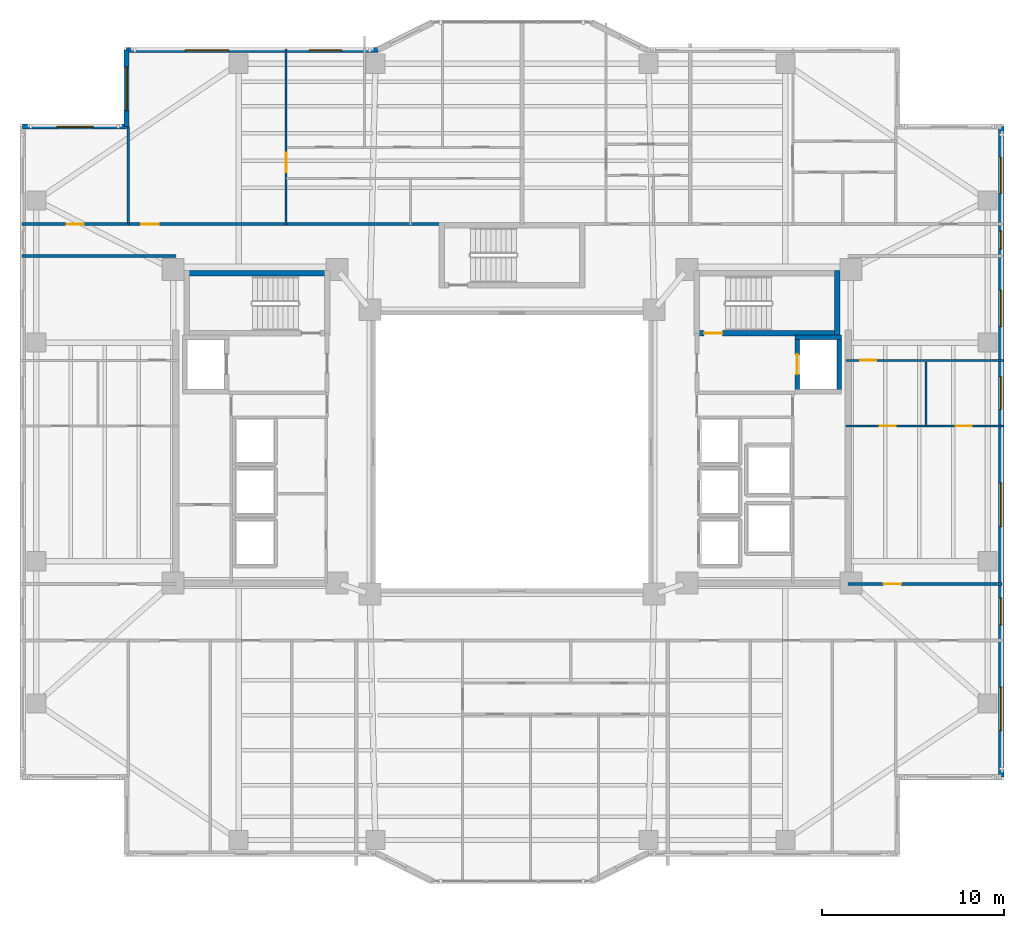
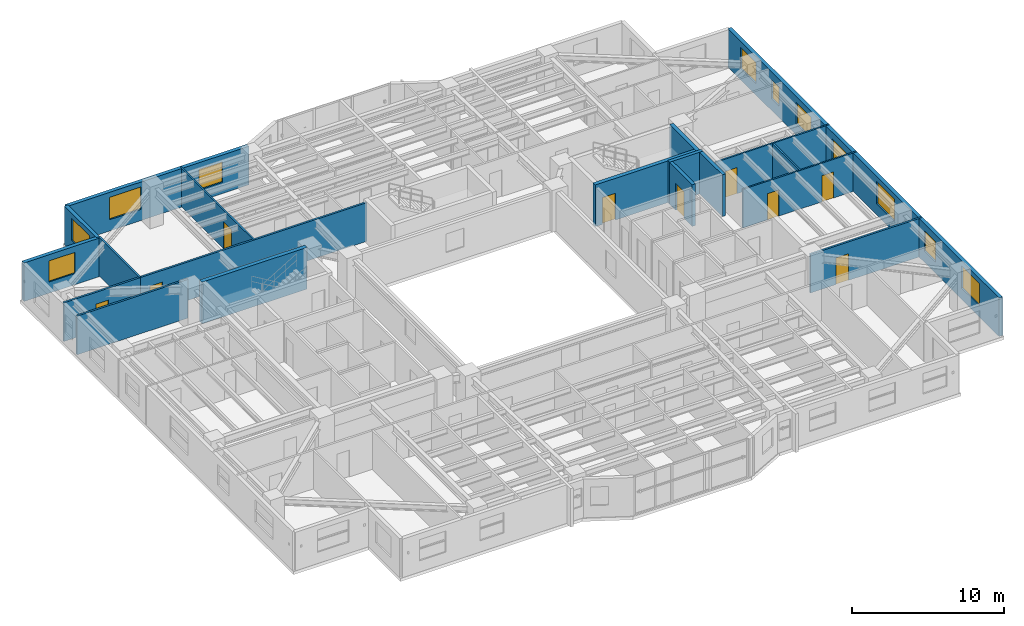
# One storey, part 9 of 18: 19 walls, 11 windows, 9 doors, 20 openings.
"""IFC4 building model written with IfcOpenShell, lengths in metres."""

from ifc_helpers import new_model, si_unit, direction, frame, frame_2d, origin, place, context, subcontext, project, spatial, rectangle, extrude, material, layer, layer_set, type_object, element, fill, save


model = new_model("IFC4")

# Units and contexts
model_context = context("Model", 3, precision=1e-05, world=origin(), true_north=direction((0.0, 1.0)))
body_context = subcontext(model_context, "Body", "Model", "MODEL_VIEW")
ifc_project = project(units=[si_unit("LENGTHUNIT", "METRE"), si_unit("AREAUNIT", "SQUARE_METRE"), si_unit("VOLUMEUNIT", "CUBIC_METRE"), si_unit("PLANEANGLEUNIT", "RADIAN"), si_unit("MASSUNIT", "GRAM", prefix="KILO")], contexts=[model_context])

# Site, building, storey
site_placement = place(None, origin())
site = spatial("IfcSite", under=ifc_project, at=site_placement, CompositionType="ELEMENT")
building_placement = place(site_placement, origin())
building = spatial("IfcBuilding", under=site, at=building_placement, Name="Tarnavaz Court Tower", CompositionType="ELEMENT")
storey_placement = place(building_placement, frame((0.0, 0.0, 91.699951171875)))
storey = spatial("IfcBuildingStorey", under=building, at=storey_placement, Name="L24", CompositionType="ELEMENT", Elevation=91.699951171875)

# Wall, opening, door
ifc_material_1 = material(Name="Concrete C60/75", Category="concrete")
ifc_layer_1 = layer(ifc_material_1, 0.25)
ifc_layer_set_1 = layer_set([ifc_layer_1], Name="Concrete C60/75")
wall_type_1 = type_object("IfcWallType", Name="WL-CORE-250-C60", PredefinedType="SHEAR", material=ifc_layer_set_1)
wall_1_placement = place(storey_placement, frame((15.64990234375, 3.175048828125, 0.0), z_axis=(0.0, 0.0, 1.0), x_axis=(0.0, 1.0, 0.0)))
wall_1 = element("IfcWall", 1, at=wall_1_placement, inside=storey, type_object=wall_type_1, Name="L24 Lift FL-E1 Shaft Wall 033", PredefinedType="SHEAR", context=body_context, shape_type="SweptSolid", body=[
    extrude(rectangle(XDim=3.25, YDim=0.25, at=frame_2d((1.625, 0.0))), origin(), (0.0, 0.0, 1.0), 3.35009765625),
])
opening_1_placement = place(wall_1_placement, frame((1.074951171875, 0.0, 0.0)))
opening_1 = element("IfcOpeningElement", 2, at=opening_1_placement, cuts=wall_1, Name="Opening LD1", PredefinedType="OPENING", context=body_context, shape_type="SweptSolid", body=[
    extrude(rectangle(XDim=1.10009765625, YDim=2.14990234375, at=frame_2d((0.550048828125, 1.074951171875))), frame((0.0, 0.135009765625, 0.0), z_axis=(0.0, -1.0, 0.0), x_axis=(1.0, 0.0, 0.0)), (0.0, 0.0, 1.0), 0.27001953125),
])
ifc_material_2 = material(Name="Stainless Steel", Category="steel")
door_type_1 = type_object("IfcDoorType", Name="DR-LD-1100", OperationType="NOTDEFINED", PredefinedType="DOOR", material=ifc_material_2)
door_1_placement = place(opening_1_placement, origin())
door_1 = element("IfcDoor", 3, at=door_1_placement, inside=storey, type_object=door_type_1, Name="L24 Lift Landing Door LD-FL-E1", OperationType="SLIDING_TO_LEFT", OverallHeight=2.14990234375, OverallWidth=1.10009765625, PredefinedType="DOOR", context=body_context, shape_type="SweptSolid", body=[
    extrude(rectangle(XDim=1.10009765625, YDim=2.14990234375, at=frame_2d((0.550048828125, 1.074951171875))), frame((0.0, 0.02490234375, 0.0), z_axis=(0.0, -1.0, 0.0), x_axis=(1.0, 0.0, 0.0)), (0.0, 0.0, 1.0), 0.050048828125),
])
fill(opening_1, door_1)

# Walls
wall_2_placement = place(storey_placement, frame((17.949951171875, 3.175048828125, 0.0), z_axis=(0.0, 0.0, 1.0), x_axis=(0.0, 1.0, 0.0)))
element("IfcWall", 4, at=wall_2_placement, inside=storey, type_object=wall_type_1, Name="L24 Lift FL-E1 Shaft Wall 034", PredefinedType="SHEAR", context=body_context, shape_type="SweptSolid", body=[
    extrude(rectangle(XDim=3.25, YDim=0.25, at=frame_2d((1.625, 0.0))), origin(), (0.0, 0.0, 1.0), 3.35009765625),
])
wall_3_placement = place(storey_placement, frame((15.52490234375, 6.300048828125, 0.0), z_axis=(0.0, 0.0, 1.0), x_axis=(1.0, 0.0, 0.0)))
element("IfcWall", 5, at=wall_3_placement, inside=storey, type_object=wall_type_1, Name="L24 Lift FL-E1 Shaft Wall 036", PredefinedType="SHEAR", context=body_context, shape_type="SweptSolid", body=[
    extrude(rectangle(XDim=2.550048828125, YDim=0.25, at=frame_2d((1.27490234375, 0.0))), origin(), (0.0, 0.0, 1.0), 3.35009765625),
])
ifc_layer_2 = layer(ifc_material_1, 0.300048828125)
ifc_layer_set_2 = layer_set([ifc_layer_2], Name="Concrete C60/75")
wall_type_2 = type_object("IfcWallType", Name="WL-CORE-300-C60", PredefinedType="SHEAR", material=ifc_layer_set_2)
wall_4_placement = place(storey_placement, frame((-18.0, 9.7900390625, 0.0), z_axis=(0.0, 0.0, 1.0), x_axis=(1.0, 0.0, 0.0)))
element("IfcWall", 6, at=wall_4_placement, inside=storey, type_object=wall_type_2, Name="L24 West Stair Core Wall 001", PredefinedType="SHEAR", context=body_context, shape_type="SweptSolid", body=[
    extrude(rectangle(XDim=8.0, YDim=0.300048828125, at=frame_2d((4.0, 0.0))), origin(), (0.0, 0.0, 1.0), 3.35009765625),
])

# Wall, opening, door
wall_5_placement = place(storey_placement, frame((10.0, 6.5, 0.0), z_axis=(0.0, 0.0, 1.0), x_axis=(1.0, 0.0, 0.0)))
wall_5 = element("IfcWall", 7, at=wall_5_placement, inside=storey, type_object=wall_type_2, Name="L24 East Stair Core Wall 006", PredefinedType="SHEAR", context=body_context, shape_type="SweptSolid", body=[
    extrude(rectangle(XDim=8.0, YDim=0.300048828125, at=frame_2d((4.0, 0.0))), origin(), (0.0, 0.0, 1.0), 3.35009765625),
])
opening_2_placement = place(wall_5_placement, frame((0.550048828125, 0.0, 0.0)))
opening_2 = element("IfcOpeningElement", 8, at=opening_2_placement, cuts=wall_5, Name="Opening D01", PredefinedType="OPENING", context=body_context, shape_type="SweptSolid", body=[
    extrude(rectangle(XDim=1.0, YDim=2.14990234375, at=frame_2d((0.5, 1.074951171875))), frame((0.0, 0.159912109375, 0.0), z_axis=(0.0, -1.0, 0.0), x_axis=(1.0, 0.0, 0.0)), (0.0, 0.0, 1.0), 0.320068359375),
])
ifc_material_3 = material(Name="Fire-Rated Hardwood Timber Core", Category="wood")
door_type_2 = type_object("IfcDoorType", Name="DR-FD90-1000", OperationType="NOTDEFINED", PredefinedType="DOOR", material=ifc_material_3)
door_2_placement = place(opening_2_placement, origin())
door_2 = element("IfcDoor", 9, at=door_2_placement, inside=storey, type_object=door_type_2, Name="L24 Stair ST-E1 Exit Door", OperationType="SINGLE_SWING_RIGHT", OverallHeight=2.14990234375, OverallWidth=1.0, PredefinedType="DOOR", context=body_context, shape_type="SweptSolid", body=[
    extrude(rectangle(XDim=1.0, YDim=2.14990234375, at=frame_2d((0.5, 1.074951171875))), frame((0.0, 0.02490234375, 0.0), z_axis=(0.0, -1.0, 0.0), x_axis=(1.0, 0.0, 0.0)), (0.0, 0.0, 1.0), 0.050048828125),
])
fill(opening_2, door_2)

# Wall
wall_6_placement = place(storey_placement, frame((17.85009765625, 6.35009765625, 0.0), z_axis=(0.0, 0.0, 1.0), x_axis=(0.0, 1.0, 0.0)))
element("IfcWall", 10, at=wall_6_placement, inside=storey, type_object=wall_type_2, Name="L24 East Stair Core Wall 008", PredefinedType="SHEAR", context=body_context, shape_type="SweptSolid", body=[
    extrude(rectangle(XDim=3.58984375, YDim=0.300048828125, at=frame_2d((1.794921875, 0.0))), origin(), (0.0, 0.0, 1.0), 3.35009765625),
])

# Wall, opening, window
ifc_material_4 = material(Name="Precast Concrete C40/50", Category="concrete")
ifc_layer_3 = layer(ifc_material_4, 0.280029296875)
ifc_layer_set_3 = layer_set([ifc_layer_3], Name="Precast Concrete C40/50")
wall_type_3 = type_object("IfcWallType", Name="WL-EXT-280", PredefinedType="SOLIDWALL", material=ifc_layer_set_3)
wall_7_placement = place(storey_placement, frame((-26.85009765625, 17.85009765625, 0.0), z_axis=(0.0, 0.0, 1.0), x_axis=(1.0, 0.0, 0.0)))
wall_7 = element("IfcWall", 11, at=wall_7_placement, inside=storey, type_object=wall_type_3, Name="L24 Exterior Terracotta Facade Wall 03", PredefinedType="SOLIDWALL", context=body_context, shape_type="SweptSolid", body=[
    extrude(rectangle(XDim=5.7001953125, YDim=0.280029296875, at=frame_2d((2.85009765625, 0.0))), origin(), (0.0, 0.0, 1.0), 3.10009765625),
])
opening_3_placement = place(wall_7_placement, frame((1.875, 0.0, 0.89990234375)))
opening_3 = element("IfcOpeningElement", 12, at=opening_3_placement, cuts=wall_7, Name="Opening W08", PredefinedType="OPENING", context=body_context, shape_type="SweptSolid", body=[
    extrude(rectangle(XDim=2.0, YDim=1.699951171875, at=frame_2d((1.0, 0.85009765625))), frame((0.0, 0.14990234375, 0.0), z_axis=(0.0, -1.0, 0.0), x_axis=(1.0, 0.0, 0.0)), (0.0, 0.0, 1.0), 0.300048828125),
])
ifc_material_5 = material(Name="Double-Glazed Solar Low-E Glass", Category="glass")
window_type_1 = type_object("IfcWindowType", Name="WN-APT-2000", PartitioningType="DOUBLE_PANEL_VERTICAL", PredefinedType="WINDOW", material=ifc_material_5)
window_1_placement = place(opening_3_placement, origin())
window_1 = element("IfcWindow", 13, at=window_1_placement, inside=storey, type_object=window_type_1, Name="L24 North-West Corner Sunroom Study Window", OverallHeight=1.699951171875, OverallWidth=2.0, PartitioningType="SINGLE_PANEL", PredefinedType="WINDOW", context=body_context, shape_type="SweptSolid", body=[
    extrude(rectangle(XDim=2.0, YDim=1.699951171875, at=frame_2d((1.0, 0.85009765625))), frame((0.0, 0.030029296875, 0.0), z_axis=(0.0, -1.0, 0.0), x_axis=(1.0, 0.0, 0.0)), (0.0, 0.0, 1.0), 0.06005859375),
])
fill(opening_3, window_1)

wall_8_placement = place(storey_placement, frame((-21.14990234375, 17.85009765625, 0.0), z_axis=(0.0, 0.0, 1.0), x_axis=(0.0, 1.0, 0.0)))
wall_8 = element("IfcWall", 14, at=wall_8_placement, inside=storey, type_object=wall_type_3, Name="L24 Exterior Terracotta Facade Wall 04", PredefinedType="SOLIDWALL", context=body_context, shape_type="SweptSolid", body=[
    extrude(rectangle(XDim=4.199951171875, YDim=0.280029296875, at=frame_2d((2.10009765625, 0.0))), origin(), (0.0, 0.0, 1.0), 3.10009765625),
])
opening_4_placement = place(wall_8_placement, frame((0.882080078125, 0.0, 0.89990234375)))
opening_4 = element("IfcOpeningElement", 15, at=opening_4_placement, cuts=wall_8, Name="Opening W06", PredefinedType="OPENING", context=body_context, shape_type="SweptSolid", body=[
    extrude(rectangle(XDim=2.39990234375, YDim=1.800048828125, at=frame_2d((1.199951171875, 0.89990234375))), frame((0.0, 0.14990234375, 0.0), z_axis=(0.0, -1.0, 0.0), x_axis=(1.0, 0.0, 0.0)), (0.0, 0.0, 1.0), 0.300048828125),
])
window_type_2 = type_object("IfcWindowType", Name="WN-APT-2400", PartitioningType="TRIPLE_PANEL_VERTICAL", PredefinedType="WINDOW", material=ifc_material_5)
window_2_placement = place(opening_4_placement, origin())
window_2 = element("IfcWindow", 16, at=window_2_placement, inside=storey, type_object=window_type_2, Name="L24 Flat 01 Living and Dining Room Window", OverallHeight=1.800048828125, OverallWidth=2.39990234375, PartitioningType="SINGLE_PANEL", PredefinedType="WINDOW", context=body_context, shape_type="SweptSolid", body=[
    extrude(rectangle(XDim=2.39990234375, YDim=1.800048828125, at=frame_2d((1.199951171875, 0.89990234375))), frame((0.0, 0.030029296875, 0.0), z_axis=(0.0, -1.0, 0.0), x_axis=(1.0, 0.0, 0.0)), (0.0, 0.0, 1.0), 0.06005859375),
])
fill(opening_4, window_2)

# Wall, openings, windows
wall_9_placement = place(storey_placement, frame((-21.14990234375, 22.050048828125, 0.0), z_axis=(0.0, 0.0, 1.0), x_axis=(1.0, 0.0, 0.0)))
wall_9 = element("IfcWall", 17, at=wall_9_placement, inside=storey, type_object=wall_type_3, Name="L24 Exterior Terracotta Facade Wall 05", PredefinedType="SOLIDWALL", context=body_context, shape_type="SweptSolid", body=[
    extrude(rectangle(XDim=13.7998046875, YDim=0.280029296875, at=frame_2d((6.89990234375, 0.0))), origin(), (0.0, 0.0, 1.0), 3.10009765625),
])
opening_5_placement = place(wall_9_placement, frame((3.216064453125, 0.0, 0.89990234375)))
opening_5 = element("IfcOpeningElement", 18, at=opening_5_placement, cuts=wall_9, Name="Opening W06", PredefinedType="OPENING", context=body_context, shape_type="SweptSolid", body=[
    extrude(rectangle(XDim=2.39990234375, YDim=1.800048828125, at=frame_2d((1.199951171875, 0.89990234375))), frame((0.0, 0.14990234375, 0.0), z_axis=(0.0, -1.0, 0.0), x_axis=(1.0, 0.0, 0.0)), (0.0, 0.0, 1.0), 0.300048828125),
])
opening_6_placement = place(wall_9_placement, frame((10.014404296875, 0.0, 0.89990234375)))
opening_6 = element("IfcOpeningElement", 19, at=opening_6_placement, cuts=wall_9, Name="Opening W01", PredefinedType="OPENING", context=body_context, shape_type="SweptSolid", body=[
    extrude(rectangle(XDim=1.800048828125, YDim=1.64990234375, at=frame_2d((0.89990234375, 0.824951171875))), frame((0.0, 0.14990234375, 0.0), z_axis=(0.0, -1.0, 0.0), x_axis=(1.0, 0.0, 0.0)), (0.0, 0.0, 1.0), 0.300048828125),
])
window_type_3 = type_object("IfcWindowType", Name="WN-APT-1800", PartitioningType="DOUBLE_PANEL_VERTICAL", PredefinedType="WINDOW", material=ifc_material_5)
window_3_placement = place(opening_6_placement, origin())
window_3 = element("IfcWindow", 20, at=window_3_placement, inside=storey, type_object=window_type_3, Name="L24 Flat 01 Principal Bedroom Window", OverallHeight=1.64990234375, OverallWidth=1.800048828125, PartitioningType="SINGLE_PANEL", PredefinedType="WINDOW", context=body_context, shape_type="SweptSolid", body=[
    extrude(rectangle(XDim=1.800048828125, YDim=1.64990234375, at=frame_2d((0.89990234375, 0.824951171875))), frame((0.0, 0.030029296875, 0.0), z_axis=(0.0, -1.0, 0.0), x_axis=(1.0, 0.0, 0.0)), (0.0, 0.0, 1.0), 0.06005859375),
])
fill(opening_6, window_3)
window_4_placement = place(opening_5_placement, origin())
window_4 = element("IfcWindow", 21, at=window_4_placement, inside=storey, type_object=window_type_2, Name="L24 Flat 01 Living and Dining Room Window", OverallHeight=1.800048828125, OverallWidth=2.39990234375, PartitioningType="SINGLE_PANEL", PredefinedType="WINDOW", context=body_context, shape_type="SweptSolid", body=[
    extrude(rectangle(XDim=2.39990234375, YDim=1.800048828125, at=frame_2d((1.199951171875, 0.89990234375))), frame((0.0, 0.030029296875, 0.0), z_axis=(0.0, -1.0, 0.0), x_axis=(1.0, 0.0, 0.0)), (0.0, 0.0, 1.0), 0.06005859375),
])
fill(opening_5, window_4)

wall_10_placement = place(storey_placement, frame((26.85009765625, 17.85009765625, 0.0), z_axis=(0.0, 0.0, 1.0), x_axis=(0.0, -1.0, 0.0)))
wall_10 = element("IfcWall", 22, at=wall_10_placement, inside=storey, type_object=wall_type_3, Name="L24 Exterior Terracotta Facade Wall 12", PredefinedType="SOLIDWALL", context=body_context, shape_type="SweptSolid", body=[
    extrude(rectangle(XDim=35.7001953125, YDim=0.280029296875, at=frame_2d((17.85009765625, 0.0))), origin(), (0.0, 0.0, 1.0), 3.10009765625),
])
opening_7_placement = place(wall_10_placement, frame((1.675048828125, 0.0, 0.89990234375)))
opening_7 = element("IfcOpeningElement", 23, at=opening_7_placement, cuts=wall_10, Name="Opening W08", PredefinedType="OPENING", context=body_context, shape_type="SweptSolid", body=[
    extrude(rectangle(XDim=2.0, YDim=1.699951171875, at=frame_2d((1.0, 0.85009765625))), frame((0.0, 0.14990234375, 0.0), z_axis=(0.0, -1.0, 0.0), x_axis=(1.0, 0.0, 0.0)), (0.0, 0.0, 1.0), 0.300048828125),
])
opening_8_placement = place(wall_10_placement, frame((5.72509765625, 0.0, 0.949951171875)))
opening_8 = element("IfcOpeningElement", 24, at=opening_8_placement, cuts=wall_10, Name="Opening W14", PredefinedType="OPENING", context=body_context, shape_type="SweptSolid", body=[
    extrude(rectangle(XDim=1.0, YDim=1.5, at=frame_2d((0.5, 0.75))), frame((0.0, 0.14990234375, 0.0), z_axis=(0.0, -1.0, 0.0), x_axis=(1.0, 0.0, 0.0)), (0.0, 0.0, 1.0), 0.300048828125),
])
opening_9_placement = place(wall_10_placement, frame((8.97509765625, 0.0, 0.89990234375)))
opening_9 = element("IfcOpeningElement", 25, at=opening_9_placement, cuts=wall_10, Name="Opening W08", PredefinedType="OPENING", context=body_context, shape_type="SweptSolid", body=[
    extrude(rectangle(XDim=2.0, YDim=1.699951171875, at=frame_2d((1.0, 0.85009765625))), frame((0.0, 0.14990234375, 0.0), z_axis=(0.0, -1.0, 0.0), x_axis=(1.0, 0.0, 0.0)), (0.0, 0.0, 1.0), 0.300048828125),
])
opening_10_placement = place(wall_10_placement, frame((13.72509765625, 0.0, 0.89990234375)))
opening_10 = element("IfcOpeningElement", 26, at=opening_10_placement, cuts=wall_10, Name="Opening W01", PredefinedType="OPENING", context=body_context, shape_type="SweptSolid", body=[
    extrude(rectangle(XDim=1.800048828125, YDim=1.64990234375, at=frame_2d((0.89990234375, 0.824951171875))), frame((0.0, 0.14990234375, 0.0), z_axis=(0.0, -1.0, 0.0), x_axis=(1.0, 0.0, 0.0)), (0.0, 0.0, 1.0), 0.300048828125),
])
opening_11_placement = place(wall_10_placement, frame((19.550048828125, 0.0, 0.89990234375)))
opening_11 = element("IfcOpeningElement", 27, at=opening_11_placement, cuts=wall_10, Name="Opening W06", PredefinedType="OPENING", context=body_context, shape_type="SweptSolid", body=[
    extrude(rectangle(XDim=2.39990234375, YDim=1.800048828125, at=frame_2d((1.199951171875, 0.89990234375))), frame((0.0, 0.14990234375, 0.0), z_axis=(0.0, -1.0, 0.0), x_axis=(1.0, 0.0, 0.0)), (0.0, 0.0, 1.0), 0.300048828125),
])
opening_12_placement = place(wall_10_placement, frame((25.857421875, 0.0, 0.89990234375)))
opening_12 = element("IfcOpeningElement", 28, at=opening_12_placement, cuts=wall_10, Name="Opening W03", PredefinedType="OPENING", context=body_context, shape_type="SweptSolid", body=[
    extrude(rectangle(XDim=1.5, YDim=1.64990234375, at=frame_2d((0.75, 0.824951171875))), frame((0.0, 0.14990234375, 0.0), z_axis=(0.0, -1.0, 0.0), x_axis=(1.0, 0.0, 0.0)), (0.0, 0.0, 1.0), 0.300048828125),
])
opening_13_placement = place(wall_10_placement, frame((30.75, 0.0, 0.89990234375)))
opening_13 = element("IfcOpeningElement", 29, at=opening_13_placement, cuts=wall_10, Name="Opening W06", PredefinedType="OPENING", context=body_context, shape_type="SweptSolid", body=[
    extrude(rectangle(XDim=2.39990234375, YDim=1.800048828125, at=frame_2d((1.199951171875, 0.89990234375))), frame((0.0, 0.14990234375, 0.0), z_axis=(0.0, -1.0, 0.0), x_axis=(1.0, 0.0, 0.0)), (0.0, 0.0, 1.0), 0.300048828125),
])
window_type_4 = type_object("IfcWindowType", Name="WN-APT-1000", PartitioningType="SINGLE_PANEL", PredefinedType="WINDOW", material=ifc_material_5)
window_5_placement = place(opening_8_placement, origin())
window_5 = element("IfcWindow", 30, at=window_5_placement, inside=storey, type_object=window_type_4, Name="L24 North-East Corner Corridor Window", OverallHeight=1.5, OverallWidth=1.0, PartitioningType="SINGLE_PANEL", PredefinedType="WINDOW", context=body_context, shape_type="SweptSolid", body=[
    extrude(rectangle(XDim=1.0, YDim=1.5, at=frame_2d((0.5, 0.75))), frame((0.0, 0.030029296875, 0.0), z_axis=(0.0, -1.0, 0.0), x_axis=(1.0, 0.0, 0.0)), (0.0, 0.0, 1.0), 0.06005859375),
])
fill(opening_8, window_5)
window_type_5 = type_object("IfcWindowType", Name="WN-APT-1500", PartitioningType="DOUBLE_PANEL_VERTICAL", PredefinedType="WINDOW", material=ifc_material_5)
window_6_placement = place(opening_12_placement, origin())
window_6 = element("IfcWindow", 31, at=window_6_placement, inside=storey, type_object=window_type_5, Name="L24 South-East Corner Corridor Window", OverallHeight=1.64990234375, OverallWidth=1.5, PartitioningType="SINGLE_PANEL", PredefinedType="WINDOW", context=body_context, shape_type="SweptSolid", body=[
    extrude(rectangle(XDim=1.5, YDim=1.64990234375, at=frame_2d((0.75, 0.824951171875))), frame((0.0, 0.030029296875, 0.0), z_axis=(0.0, -1.0, 0.0), x_axis=(1.0, 0.0, 0.0)), (0.0, 0.0, 1.0), 0.06005859375),
])
fill(opening_12, window_6)
window_7_placement = place(opening_10_placement, origin())
window_7 = element("IfcWindow", 32, at=window_7_placement, inside=storey, type_object=window_type_3, Name="L24 Flat 06 Bathroom Window", OverallHeight=1.64990234375, OverallWidth=1.800048828125, PartitioningType="SINGLE_PANEL", PredefinedType="WINDOW", context=body_context, shape_type="SweptSolid", body=[
    extrude(rectangle(XDim=1.800048828125, YDim=1.64990234375, at=frame_2d((0.89990234375, 0.824951171875))), frame((0.0, 0.030029296875, 0.0), z_axis=(0.0, -1.0, 0.0), x_axis=(1.0, 0.0, 0.0)), (0.0, 0.0, 1.0), 0.06005859375),
])
fill(opening_10, window_7)
window_8_placement = place(opening_7_placement, origin())
window_8 = element("IfcWindow", 33, at=window_8_placement, inside=storey, type_object=window_type_1, Name="L24 North-East Corner Sunroom Study Window", OverallHeight=1.699951171875, OverallWidth=2.0, PartitioningType="SINGLE_PANEL", PredefinedType="WINDOW", context=body_context, shape_type="SweptSolid", body=[
    extrude(rectangle(XDim=2.0, YDim=1.699951171875, at=frame_2d((1.0, 0.85009765625))), frame((0.0, 0.030029296875, 0.0), z_axis=(0.0, -1.0, 0.0), x_axis=(1.0, 0.0, 0.0)), (0.0, 0.0, 1.0), 0.06005859375),
])
fill(opening_7, window_8)
window_9_placement = place(opening_9_placement, origin())
window_9 = element("IfcWindow", 34, at=window_9_placement, inside=storey, type_object=window_type_1, Name="L24 Flat 06 Study Room Window", OverallHeight=1.699951171875, OverallWidth=2.0, PartitioningType="SINGLE_PANEL", PredefinedType="WINDOW", context=body_context, shape_type="SweptSolid", body=[
    extrude(rectangle(XDim=2.0, YDim=1.699951171875, at=frame_2d((1.0, 0.85009765625))), frame((0.0, 0.030029296875, 0.0), z_axis=(0.0, -1.0, 0.0), x_axis=(1.0, 0.0, 0.0)), (0.0, 0.0, 1.0), 0.06005859375),
])
fill(opening_9, window_9)
window_10_placement = place(opening_11_placement, origin())
window_10 = element("IfcWindow", 35, at=window_10_placement, inside=storey, type_object=window_type_2, Name="L24 Flat 06 Studio Living and Sleeping Room Window", OverallHeight=1.800048828125, OverallWidth=2.39990234375, PartitioningType="SINGLE_PANEL", PredefinedType="WINDOW", context=body_context, shape_type="SweptSolid", body=[
    extrude(rectangle(XDim=2.39990234375, YDim=1.800048828125, at=frame_2d((1.199951171875, 0.89990234375))), frame((0.0, 0.030029296875, 0.0), z_axis=(0.0, -1.0, 0.0), x_axis=(1.0, 0.0, 0.0)), (0.0, 0.0, 1.0), 0.06005859375),
])
fill(opening_11, window_10)
window_11_placement = place(opening_13_placement, origin())
window_11 = element("IfcWindow", 36, at=window_11_placement, inside=storey, type_object=window_type_2, Name="L24 South-East Corner Reading Room Window", OverallHeight=1.800048828125, OverallWidth=2.39990234375, PartitioningType="SINGLE_PANEL", PredefinedType="WINDOW", context=body_context, shape_type="SweptSolid", body=[
    extrude(rectangle(XDim=2.39990234375, YDim=1.800048828125, at=frame_2d((1.199951171875, 0.89990234375))), frame((0.0, 0.030029296875, 0.0), z_axis=(0.0, -1.0, 0.0), x_axis=(1.0, 0.0, 0.0)), (0.0, 0.0, 1.0), 0.06005859375),
])
fill(opening_13, window_11)

# Wall, opening, door
ifc_material_6 = material(Name="Gypsum Fire-Board on Acoustic Metal Stud", Category="masonry")
ifc_layer_4 = layer(ifc_material_6, 0.14990234375)
ifc_layer_set_4 = layer_set([ifc_layer_4], Name="Gypsum Fire-Board on Acoustic Metal Stud")
wall_type_4 = type_object("IfcWallType", Name="WL-FIRE-150", PredefinedType="PARTITIONING", material=ifc_layer_set_4)
wall_11_placement = place(storey_placement, frame((-21.050048828125, 12.5, 0.0), z_axis=(0.0, 0.0, 1.0), x_axis=(1.0, 0.0, 0.0)))
wall_11 = element("IfcWall", 37, at=wall_11_placement, inside=storey, type_object=wall_type_4, Name="L24 NW Wing Corridor Wall 071", PredefinedType="PARTITIONING", context=body_context, shape_type="SweptSolid", body=[
    extrude(rectangle(XDim=17.199951171875, YDim=0.14990234375, at=frame_2d((8.60009765625, 0.0))), origin(), (0.0, 0.0, 1.0), 3.10009765625),
])
opening_14_placement = place(wall_11_placement, frame((0.699951171875, 0.0, 0.0)))
opening_14 = element("IfcOpeningElement", 38, at=opening_14_placement, cuts=wall_11, Name="Opening D06", PredefinedType="OPENING", context=body_context, shape_type="SweptSolid", body=[
    extrude(rectangle(XDim=0.9599609375, YDim=2.14990234375, at=frame_2d((0.47998046875, 1.074951171875))), frame((0.0, 0.0849609375, 0.0), z_axis=(0.0, -1.0, 0.0), x_axis=(1.0, 0.0, 0.0)), (0.0, 0.0, 1.0), 0.169921875),
])
door_type_3 = type_object("IfcDoorType", Name="DR-FD60-950", OperationType="NOTDEFINED", PredefinedType="DOOR", material=ifc_material_3)
door_3_placement = place(opening_14_placement, origin())
door_3 = element("IfcDoor", 39, at=door_3_placement, inside=storey, type_object=door_type_3, Name="L24 Flat 01 Entrance Door", OperationType="SINGLE_SWING_LEFT", OverallHeight=2.14990234375, OverallWidth=0.9599609375, PredefinedType="DOOR", context=body_context, shape_type="SweptSolid", body=[
    extrude(rectangle(XDim=0.9599609375, YDim=2.14990234375, at=frame_2d((0.47998046875, 1.074951171875))), frame((0.0, 0.02490234375, 0.0), z_axis=(0.0, -1.0, 0.0), x_axis=(1.0, 0.0, 0.0)), (0.0, 0.0, 1.0), 0.050048828125),
])
fill(opening_14, door_3)

# Wall
wall_12_placement = place(storey_placement, frame((-26.8798828125, 10.75, 0.0), z_axis=(0.0, 0.0, 1.0), x_axis=(1.0, 0.0, 0.0)))
element("IfcWall", 40, at=wall_12_placement, inside=storey, type_object=wall_type_4, Name="L24 Interior Partition 109", PredefinedType="PARTITIONING", context=body_context, shape_type="SweptSolid", body=[
    extrude(rectangle(XDim=8.429931640625, YDim=0.14990234375, at=frame_2d((4.21484375, 0.0))), origin(), (0.0, 0.0, 1.0), 3.10009765625),
])

# Wall, opening, door
wall_13_placement = place(storey_placement, frame((18.449951171875, -7.25, 0.0), z_axis=(0.0, 0.0, 1.0), x_axis=(1.0, 0.0, 0.0)))
wall_13 = element("IfcWall", 41, at=wall_13_placement, inside=storey, type_object=wall_type_4, Name="L24 Interior Partition 110", PredefinedType="PARTITIONING", context=body_context, shape_type="SweptSolid", body=[
    extrude(rectangle(XDim=8.429931640625, YDim=0.14990234375, at=frame_2d((4.21484375, 0.0))), origin(), (0.0, 0.0, 1.0), 3.10009765625),
])
opening_15_placement = place(wall_13_placement, frame((1.949951171875, 0.0, 0.0)))
opening_15 = element("IfcOpeningElement", 42, at=opening_15_placement, cuts=wall_13, Name="Opening D06", PredefinedType="OPENING", context=body_context, shape_type="SweptSolid", body=[
    extrude(rectangle(XDim=0.9599609375, YDim=2.14990234375, at=frame_2d((0.47998046875, 1.074951171875))), frame((0.0, 0.0849609375, 0.0), z_axis=(0.0, -1.0, 0.0), x_axis=(1.0, 0.0, 0.0)), (0.0, 0.0, 1.0), 0.169921875),
])
door_4_placement = place(opening_15_placement, origin())
door_4 = element("IfcDoor", 43, at=door_4_placement, inside=storey, type_object=door_type_3, Name="L24 Flat 06 Entrance Door", OperationType="SINGLE_SWING_LEFT", OverallHeight=2.14990234375, OverallWidth=0.9599609375, PredefinedType="DOOR", context=body_context, shape_type="SweptSolid", body=[
    extrude(rectangle(XDim=0.9599609375, YDim=2.14990234375, at=frame_2d((0.47998046875, 1.074951171875))), frame((0.0, 0.02490234375, 0.0), z_axis=(0.0, -1.0, 0.0), x_axis=(1.0, 0.0, 0.0)), (0.0, 0.0, 1.0), 0.050048828125),
])
fill(opening_15, door_4)

wall_14_placement = place(storey_placement, frame((-26.8798828125, 12.5, 0.0), z_axis=(0.0, 0.0, 1.0), x_axis=(1.0, 0.0, 0.0)))
wall_14 = element("IfcWall", 44, at=wall_14_placement, inside=storey, type_object=wall_type_4, Name="L24 Interior Partition 116", PredefinedType="PARTITIONING", context=body_context, shape_type="SweptSolid", body=[
    extrude(rectangle(XDim=5.829833984375, YDim=0.14990234375, at=frame_2d((2.9150390625, 0.0))), origin(), (0.0, 0.0, 1.0), 3.10009765625),
])
opening_16_placement = place(wall_14_placement, frame((2.43994140625, 0.0, 0.0)))
opening_16 = element("IfcOpeningElement", 45, at=opening_16_placement, cuts=wall_14, Name="Opening D13", PredefinedType="OPENING", context=body_context, shape_type="SweptSolid", body=[
    extrude(rectangle(XDim=0.949951171875, YDim=2.14990234375, at=frame_2d((0.47509765625, 1.074951171875))), frame((0.0, 0.0849609375, 0.0), z_axis=(0.0, -1.0, 0.0), x_axis=(1.0, 0.0, 0.0)), (0.0, 0.0, 1.0), 0.169921875),
])
ifc_material_7 = material(Name="Engineered Oak Timber", Category="wood")
door_type_4 = type_object("IfcDoorType", Name="DR-INT-950", OperationType="NOTDEFINED", PredefinedType="DOOR", material=ifc_material_7)
door_5_placement = place(opening_16_placement, origin())
door_5 = element("IfcDoor", 46, at=door_5_placement, inside=storey, type_object=door_type_4, Name="L24 NW Sunroom Door", OperationType="SINGLE_SWING_LEFT", OverallHeight=2.14990234375, OverallWidth=0.949951171875, PredefinedType="DOOR", context=body_context, shape_type="SweptSolid", body=[
    extrude(rectangle(XDim=0.949951171875, YDim=2.14990234375, at=frame_2d((0.47509765625, 1.074951171875))), frame((0.0, 0.02490234375, 0.0), z_axis=(0.0, -1.0, 0.0), x_axis=(1.0, 0.0, 0.0)), (0.0, 0.0, 1.0), 0.050048828125),
])
fill(opening_16, door_5)

ifc_material_8 = material(Name="Moisture-Resistant Gypsum Board Partition", Category="masonry")
ifc_layer_5 = layer(ifc_material_8, 0.1201171875)
ifc_layer_set_5 = layer_set([ifc_layer_5], Name="Moisture-Resistant Gypsum Board Partition")
wall_type_5 = type_object("IfcWallType", Name="WL-PART-120", PredefinedType="PARTITIONING", material=ifc_layer_set_5)
wall_15_placement = place(storey_placement, frame((-12.39794921875, 12.43994140625, 0.0), z_axis=(0.0, 0.0, 1.0), x_axis=(0.0, 1.0, 0.0)))
wall_15 = element("IfcWall", 47, at=wall_15_placement, inside=storey, type_object=wall_type_5, Name="L24 Interior Partition 076", PredefinedType="PARTITIONING", context=body_context, shape_type="SweptSolid", body=[
    extrude(rectangle(XDim=9.66015625, YDim=0.1201171875, at=frame_2d((4.830078125, 0.0))), origin(), (0.0, 0.0, 1.0), 3.10009765625),
])
opening_17_placement = place(wall_15_placement, frame((2.905029296875, 0.0, 0.0)))
opening_17 = element("IfcOpeningElement", 48, at=opening_17_placement, cuts=wall_15, Name="Opening D12", PredefinedType="OPENING", context=body_context, shape_type="SweptSolid", body=[
    extrude(rectangle(XDim=1.080078125, YDim=2.14990234375, at=frame_2d((0.5400390625, 1.074951171875))), frame((0.0, 0.070068359375, 0.0), z_axis=(0.0, -1.0, 0.0), x_axis=(1.0, 0.0, 0.0)), (0.0, 0.0, 1.0), 0.14013671875),
])
door_type_5 = type_object("IfcDoorType", Name="DR-INT-1100", OperationType="NOTDEFINED", PredefinedType="DOOR", material=ifc_material_7)
door_6_placement = place(opening_17_placement, origin())
door_6 = element("IfcDoor", 49, at=door_6_placement, inside=storey, type_object=door_type_5, Name="L24 Flat 01 Foyer Door", OperationType="SINGLE_SWING_RIGHT", OverallHeight=2.14990234375, OverallWidth=1.080078125, PredefinedType="DOOR", context=body_context, shape_type="SweptSolid", body=[
    extrude(rectangle(XDim=1.080078125, YDim=2.14990234375, at=frame_2d((0.5400390625, 1.074951171875))), frame((0.0, 0.02490234375, 0.0), z_axis=(0.0, -1.0, 0.0), x_axis=(1.0, 0.0, 0.0)), (0.0, 0.0, 1.0), 0.050048828125),
])
fill(opening_17, door_6)

# Wall, openings, doors
wall_16_placement = place(storey_placement, frame((18.330078125, 1.419921875, 0.0), z_axis=(0.0, 0.0, 1.0), x_axis=(1.0, 0.0, 0.0)))
wall_16 = element("IfcWall", 50, at=wall_16_placement, inside=storey, type_object=wall_type_5, Name="L24 Interior Partition 123", PredefinedType="PARTITIONING", context=body_context, shape_type="SweptSolid", body=[
    extrude(rectangle(XDim=8.669921875, YDim=0.1201171875, at=frame_2d((4.3349609375, 0.0))), origin(), (0.0, 0.0, 1.0), 3.10009765625),
])
opening_18_placement = place(wall_16_placement, frame((1.863037109375, 0.0, 0.0)))
opening_18 = element("IfcOpeningElement", 51, at=opening_18_placement, cuts=wall_16, Name="Opening D14", PredefinedType="OPENING", context=body_context, shape_type="SweptSolid", body=[
    extrude(rectangle(XDim=0.8798828125, YDim=2.10009765625, at=frame_2d((0.43994140625, 1.050048828125))), frame((0.0, 0.070068359375, 0.0), z_axis=(0.0, -1.0, 0.0), x_axis=(1.0, 0.0, 0.0)), (0.0, 0.0, 1.0), 0.14013671875),
])
opening_19_placement = place(wall_16_placement, frame((6.028076171875, 0.0, 0.0)))
opening_19 = element("IfcOpeningElement", 52, at=opening_19_placement, cuts=wall_16, Name="Opening D14", PredefinedType="OPENING", context=body_context, shape_type="SweptSolid", body=[
    extrude(rectangle(XDim=0.8798828125, YDim=2.10009765625, at=frame_2d((0.43994140625, 1.050048828125))), frame((0.0, 0.070068359375, 0.0), z_axis=(0.0, -1.0, 0.0), x_axis=(1.0, 0.0, 0.0)), (0.0, 0.0, 1.0), 0.14013671875),
])
door_type_6 = type_object("IfcDoorType", Name="DR-INT-900", OperationType="NOTDEFINED", PredefinedType="DOOR", material=ifc_material_7)
door_7_placement = place(opening_18_placement, origin())
door_7 = element("IfcDoor", 53, at=door_7_placement, inside=storey, type_object=door_type_6, Name="L24 Flat 06 Kitchen Door", OperationType="SINGLE_SWING_RIGHT", OverallHeight=2.10009765625, OverallWidth=0.8798828125, PredefinedType="DOOR", context=body_context, shape_type="SweptSolid", body=[
    extrude(rectangle(XDim=0.8798828125, YDim=2.10009765625, at=frame_2d((0.43994140625, 1.050048828125))), frame((0.0, 0.02490234375, 0.0), z_axis=(0.0, -1.0, 0.0), x_axis=(1.0, 0.0, 0.0)), (0.0, 0.0, 1.0), 0.050048828125),
])
fill(opening_18, door_7)
door_8_placement = place(opening_19_placement, origin())
door_8 = element("IfcDoor", 54, at=door_8_placement, inside=storey, type_object=door_type_6, Name="L24 Flat 06 Bathroom Door", OperationType="SINGLE_SWING_LEFT", OverallHeight=2.10009765625, OverallWidth=0.8798828125, PredefinedType="DOOR", context=body_context, shape_type="SweptSolid", body=[
    extrude(rectangle(XDim=0.8798828125, YDim=2.10009765625, at=frame_2d((0.43994140625, 1.050048828125))), frame((0.0, 0.02490234375, 0.0), z_axis=(0.0, -1.0, 0.0), x_axis=(1.0, 0.0, 0.0)), (0.0, 0.0, 1.0), 0.050048828125),
])
fill(opening_19, door_8)

# Wall, opening, door
wall_17_placement = place(storey_placement, frame((18.330078125, 5.02001953125, 0.0), z_axis=(0.0, 0.0, 1.0), x_axis=(1.0, 0.0, 0.0)))
wall_17 = element("IfcWall", 55, at=wall_17_placement, inside=storey, type_object=wall_type_5, Name="L24 Interior Partition 124", PredefinedType="PARTITIONING", context=body_context, shape_type="SweptSolid", body=[
    extrude(rectangle(XDim=8.669921875, YDim=0.1201171875, at=frame_2d((4.3349609375, 0.0))), origin(), (0.0, 0.0, 1.0), 3.10009765625),
])
opening_20_placement = place(wall_17_placement, frame((0.77001953125, 0.0, 0.0)))
opening_20 = element("IfcOpeningElement", 56, at=opening_20_placement, cuts=wall_17, Name="Opening D14", PredefinedType="OPENING", context=body_context, shape_type="SweptSolid", body=[
    extrude(rectangle(XDim=0.8798828125, YDim=2.10009765625, at=frame_2d((0.43994140625, 1.050048828125))), frame((0.0, 0.070068359375, 0.0), z_axis=(0.0, -1.0, 0.0), x_axis=(1.0, 0.0, 0.0)), (0.0, 0.0, 1.0), 0.14013671875),
])
door_9_placement = place(opening_20_placement, origin())
door_9 = element("IfcDoor", 57, at=door_9_placement, inside=storey, type_object=door_type_6, Name="L24 Flat 06 Study Door", OperationType="SINGLE_SWING_RIGHT", OverallHeight=2.10009765625, OverallWidth=0.8798828125, PredefinedType="DOOR", context=body_context, shape_type="SweptSolid", body=[
    extrude(rectangle(XDim=0.8798828125, YDim=2.10009765625, at=frame_2d((0.43994140625, 1.050048828125))), frame((0.0, 0.02490234375, 0.0), z_axis=(0.0, -1.0, 0.0), x_axis=(1.0, 0.0, 0.0)), (0.0, 0.0, 1.0), 0.050048828125),
])
fill(opening_20, door_9)

# Walls
wall_18_placement = place(storey_placement, frame((22.715087890625, 1.360107421875, 0.0), z_axis=(0.0, 0.0, 1.0), x_axis=(0.0, 1.0, 0.0)))
element("IfcWall", 58, at=wall_18_placement, inside=storey, type_object=wall_type_5, Name="L24 Interior Partition 125", PredefinedType="PARTITIONING", context=body_context, shape_type="SweptSolid", body=[
    extrude(rectangle(XDim=3.579833984375, YDim=0.1201171875, at=frame_2d((1.7900390625, 0.0))), origin(), (0.0, 0.0, 1.0), 3.10009765625),
])
ifc_material_9 = material(Name="Gypsum Plasterboard Acoustic Partition", Category="masonry")
ifc_layer_6 = layer(ifc_material_9, 0.139892578125)
ifc_layer_set_6 = layer_set([ifc_layer_6], Name="Gypsum Plasterboard Acoustic Partition")
wall_type_6 = type_object("IfcWallType", Name="WL-PART-150", PredefinedType="PARTITIONING", material=ifc_layer_set_6)
wall_19_placement = place(storey_placement, frame((-21.050048828125, 12.5, 0.0), z_axis=(0.0, 0.0, 1.0), x_axis=(0.0, 1.0, 0.0)))
element("IfcWall", 59, at=wall_19_placement, inside=storey, type_object=wall_type_6, Name="L24 Interior Partition 114", PredefinedType="PARTITIONING", context=body_context, shape_type="SweptSolid", body=[
    extrude(rectangle(XDim=5.35009765625, YDim=0.139892578125, at=frame_2d((2.675048828125, 0.0))), origin(), (0.0, 0.0, 1.0), 3.10009765625),
])

save(model, "model.ifc")
